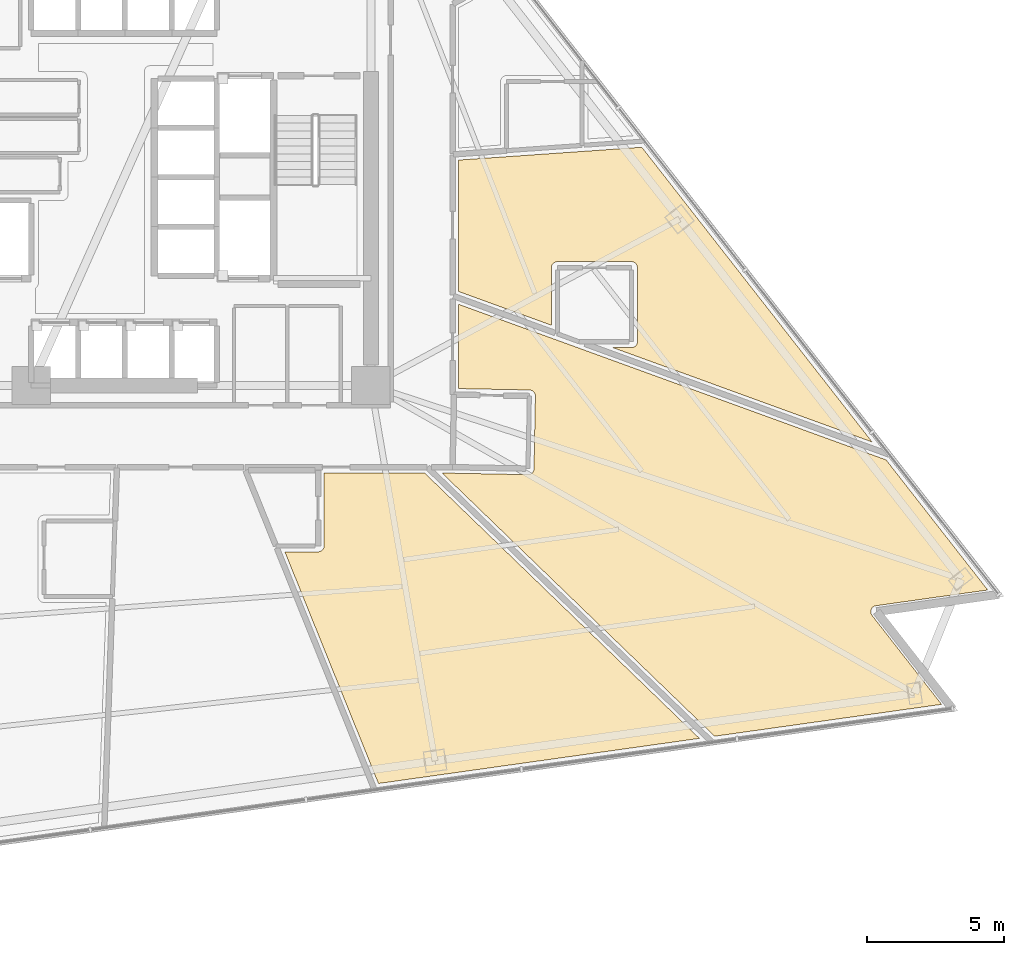
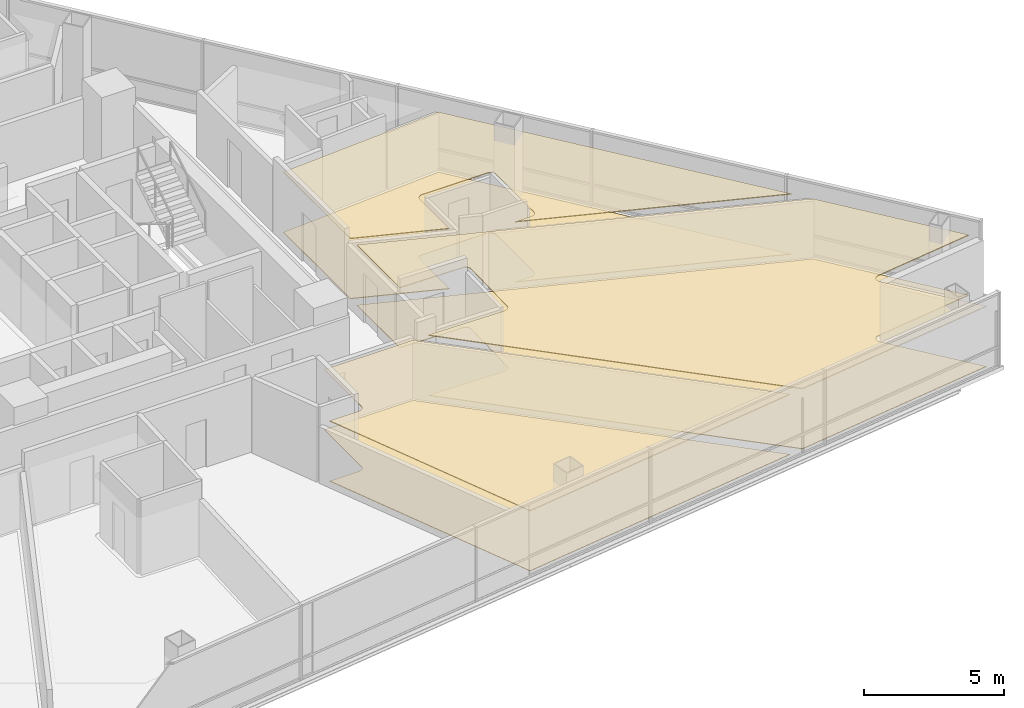
# One storey, part 14 of 16: 6 coverings.
"""IFC4 building model written with IfcOpenShell, lengths in metres."""

from ifc_helpers import new_model, si_unit, direction, frame, origin, place, context, subcontext, project, spatial, polyline, outline, extrude, material, layer, layer_set, type_object, element, save


model = new_model("IFC4")

# Units and contexts
model_context = context("Model", 3, precision=1e-05, world=origin(), true_north=direction((0.0, 1.0)))
body_context = subcontext(model_context, "Body", "Model", "MODEL_VIEW")
ifc_project = project(units=[si_unit("LENGTHUNIT", "METRE"), si_unit("AREAUNIT", "SQUARE_METRE"), si_unit("VOLUMEUNIT", "CUBIC_METRE"), si_unit("PLANEANGLEUNIT", "RADIAN"), si_unit("MASSUNIT", "GRAM", prefix="KILO")], contexts=[model_context])

# Site, building, storey
site_placement = place(None, origin())
site = spatial("IfcSite", under=ifc_project, at=site_placement, CompositionType="ELEMENT")
building_placement = place(site_placement, origin())
building = spatial("IfcBuilding", under=site, at=building_placement, Name="Tharavind Bronze Gate", CompositionType="ELEMENT")
storey_placement = place(building_placement, frame((0.0, 0.0, 70.75)))
storey = spatial("IfcBuildingStorey", under=building, at=storey_placement, Name="L17", CompositionType="ELEMENT", Elevation=70.75)

# Coverings
ifc_material_1 = material(Name="Engineered Oak & Carpet Tile", Category="wood")
ifc_layer_1 = layer(ifc_material_1, 0.02490234375)
ifc_layer_set_1 = layer_set([ifc_layer_1], Name="Engineered Oak & Carpet Tile")
covering_type_1 = type_object("IfcCoveringType", Name="ENGINEERED TIMBER FLOORING", PredefinedType="FLOORING", material=ifc_layer_set_1)
covering_1_placement = place(storey_placement, origin())
element("IfcCovering", 1, at=covering_1_placement, inside=storey, type_object=covering_type_1, Name="L17-RM-12 floor finish", PredefinedType="FLOORING", context=body_context, shape_type="SweptSolid", body=[
    extrude(outline(polyline([(7.193115234375, -13.449951171875), (7.19189453125, -13.4716796875), (7.18896484375, -13.492919921875), (7.18359375, -13.513916015625), (7.17626953125, -13.5341796875), (7.1669921875, -13.5537109375), (7.156005859375, -13.572265625), (7.14306640625, -13.589599609375), (7.128662109375, -13.605712890625), (7.112548828125, -13.6201171875), (7.09521484375, -13.6328125), (7.076904296875, -13.64404296875), (7.057373046875, -13.6533203125), (7.036865234375, -13.660400390625), (7.01611328125, -13.665771484375), (6.99462890625, -13.6689453125), (6.97314453125, -13.669921875), (5.76025390625, -13.669921875), (9.175048828125, -22.12158203125), (20.886474609375, -20.4755859375), (10.866943359375, -10.800048828125), (7.193115234375, -10.800048828125), (7.193115234375, -13.449951171875)])), origin(), (0.0, 0.0, 1.0), 0.02490234375),
])
covering_2_placement = place(storey_placement, origin())
element("IfcCovering", 2, at=covering_2_placement, inside=storey, type_object=covering_type_1, Name="L17-RM-13 floor finish", PredefinedType="FLOORING", context=body_context, shape_type="SweptSolid", body=[
    extrude(outline(polyline([(21.439453125, -20.39794921875), (29.7197265625, -19.234375), (27.184326171875, -15.989013671875), (27.177734375, -15.980224609375), (27.177490234375, -15.979736328125), (27.165771484375, -15.961181640625), (27.156005859375, -15.941650390625), (27.148193359375, -15.921142578125), (27.142333984375, -15.89990234375), (27.138916015625, -15.87841796875), (27.137451171875, -15.8564453125), (27.13818359375, -15.83447265625), (27.14111328125, -15.812744140625), (27.146240234375, -15.79150390625), (27.1533203125, -15.770751953125), (27.16259765625, -15.750732421875), (27.173583984375, -15.73193359375), (27.186767578125, -15.714111328125), (27.201416015625, -15.697998046875), (27.217529296875, -15.68310546875), (27.235107421875, -15.670166015625), (27.254150390625, -15.658935546875), (27.27392578125, -15.649658203125), (27.294677734375, -15.642333984375), (27.31591796875, -15.63720703125), (27.31640625, -15.636962890625), (27.327392578125, -15.63525390625), (31.405517578125, -15.06201171875), (27.69677734375, -10.31494140625), (12.10009765625, -4.63818359375), (12.10009765625, -7.713623046875), (14.684814453125, -7.763671875), (14.706298828125, -7.76513671875), (14.727783203125, -7.768798828125), (14.74853515625, -7.7744140625), (14.768798828125, -7.781982421875), (14.7880859375, -7.79150390625), (14.806396484375, -7.802978515625), (14.823486328125, -7.81640625), (14.839111328125, -7.8310546875), (14.853515625, -7.847412109375), (14.865966796875, -7.864990234375), (14.876708984375, -7.883544921875), (14.885498046875, -7.9033203125), (14.892333984375, -7.923828125), (14.897216796875, -7.94482421875), (14.89990234375, -7.96630859375), (14.900634765625, -7.98779296875), (14.849365234375, -10.63720703125), (14.847900390625, -10.658935546875), (14.844482421875, -10.68017578125), (14.838623046875, -10.700927734375), (14.8310546875, -10.72119140625), (14.8212890625, -10.740478515625), (14.81005859375, -10.7587890625), (14.796875, -10.77587890625), (14.781982421875, -10.79150390625), (14.765625, -10.805908203125), (14.748046875, -10.818359375), (14.7294921875, -10.8291015625), (14.709716796875, -10.837890625), (14.689208984375, -10.8447265625), (14.668212890625, -10.849609375), (14.646728515625, -10.852294921875), (14.625244140625, -10.85302734375), (11.877197265625, -10.800048828125), (11.50048828125, -10.800048828125), (21.439453125, -20.39794921875)])), origin(), (0.0, 0.0, 1.0), 0.02490234375),
])
covering_3_placement = place(storey_placement, origin())
element("IfcCovering", 3, at=covering_3_placement, inside=storey, type_object=covering_type_1, Name="L17-RM-14 floor finish", PredefinedType="FLOORING", context=body_context, shape_type="SweptSolid", body=[
    extrude(outline(polyline([(12.10009765625, -4.169921875), (15.482421875, -5.40087890625), (15.482421875, -3.302001953125), (15.4833984375, -3.280517578125), (15.48681640625, -3.259033203125), (15.491943359375, -3.23828125), (15.499267578125, -3.2177734375), (15.50830078125, -3.1982421875), (15.51953125, -3.1796875), (15.532470703125, -3.16259765625), (15.546875, -3.146484375), (15.56298828125, -3.132080078125), (15.580078125, -3.119140625), (15.598876953125, -3.10791015625), (15.618408203125, -3.098876953125), (15.638671875, -3.091552734375), (15.659423828125, -3.086181640625), (15.680908203125, -3.0830078125), (15.702392578125, -3.08203125), (18.402587890625, -3.08203125), (18.424072265625, -3.0830078125), (18.4453125, -3.086181640625), (18.46630859375, -3.091552734375), (18.48681640625, -3.098876953125), (18.506103515625, -3.10791015625), (18.524658203125, -3.119140625), (18.5419921875, -3.132080078125), (18.55810546875, -3.146484375), (18.572509765625, -3.16259765625), (18.58544921875, -3.1796875), (18.596435546875, -3.1982421875), (18.605712890625, -3.2177734375), (18.613037109375, -3.23828125), (18.6181640625, -3.259033203125), (18.621337890625, -3.280517578125), (18.62255859375, -3.302001953125), (18.62255859375, -6.001953125), (18.621337890625, -6.023681640625), (18.6181640625, -6.044921875), (18.613037109375, -6.06591796875), (18.605712890625, -6.086181640625), (18.596435546875, -6.105712890625), (18.58544921875, -6.124267578125), (18.572509765625, -6.1416015625), (18.55810546875, -6.15771484375), (18.5419921875, -6.172119140625), (18.524658203125, -6.184814453125), (18.506103515625, -6.196044921875), (18.48681640625, -6.205322265625), (18.46630859375, -6.212646484375), (18.4453125, -6.2177734375), (18.424072265625, -6.220947265625), (18.402587890625, -6.221923828125), (17.738037109375, -6.221923828125), (27.185546875, -9.66064453125), (18.783935546875, 1.093017578125), (12.10009765625, 0.62548828125), (12.10009765625, -4.169921875)])), origin(), (0.0, 0.0, 1.0), 0.02490234375),
])
ifc_material_2 = material(Name="Acoustic Gypsum Board", Category="gypsum")
ifc_layer_2 = layer(ifc_material_2, 0.030029296875)
ifc_layer_set_2 = layer_set([ifc_layer_2], Name="Acoustic Gypsum Board")
covering_type_2 = type_object("IfcCoveringType", Name="GYPSUM SUSPENDED CEILING", PredefinedType="CEILING", material=ifc_layer_set_2)
covering_4_placement = place(storey_placement, frame((0.0, 0.0, 2.625)))
element("IfcCovering", 4, at=covering_4_placement, inside=storey, type_object=covering_type_2, Name="L17-RM-12 suspended ceiling", PredefinedType="CEILING", context=body_context, shape_type="SweptSolid", body=[
    extrude(outline(polyline([(7.193115234375, -13.449951171875), (7.19189453125, -13.4716796875), (7.18896484375, -13.492919921875), (7.18359375, -13.513916015625), (7.17626953125, -13.5341796875), (7.1669921875, -13.5537109375), (7.156005859375, -13.572265625), (7.14306640625, -13.589599609375), (7.128662109375, -13.605712890625), (7.112548828125, -13.6201171875), (7.09521484375, -13.6328125), (7.076904296875, -13.64404296875), (7.057373046875, -13.6533203125), (7.036865234375, -13.660400390625), (7.01611328125, -13.665771484375), (6.99462890625, -13.6689453125), (6.97314453125, -13.669921875), (5.76025390625, -13.669921875), (9.175048828125, -22.12158203125), (20.886474609375, -20.4755859375), (10.866943359375, -10.800048828125), (7.193115234375, -10.800048828125), (7.193115234375, -13.449951171875)])), origin(), (0.0, 0.0, 1.0), 0.034912109375),
])
covering_5_placement = place(storey_placement, frame((0.0, 0.0, 2.625)))
element("IfcCovering", 5, at=covering_5_placement, inside=storey, type_object=covering_type_2, Name="L17-RM-13 suspended ceiling", PredefinedType="CEILING", context=body_context, shape_type="SweptSolid", body=[
    extrude(outline(polyline([(21.439453125, -20.39794921875), (29.7197265625, -19.234375), (27.184326171875, -15.989013671875), (27.177734375, -15.980224609375), (27.177490234375, -15.979736328125), (27.165771484375, -15.961181640625), (27.156005859375, -15.941650390625), (27.148193359375, -15.921142578125), (27.142333984375, -15.89990234375), (27.138916015625, -15.87841796875), (27.137451171875, -15.8564453125), (27.13818359375, -15.83447265625), (27.14111328125, -15.812744140625), (27.146240234375, -15.79150390625), (27.1533203125, -15.770751953125), (27.16259765625, -15.750732421875), (27.173583984375, -15.73193359375), (27.186767578125, -15.714111328125), (27.201416015625, -15.697998046875), (27.217529296875, -15.68310546875), (27.235107421875, -15.670166015625), (27.254150390625, -15.658935546875), (27.27392578125, -15.649658203125), (27.294677734375, -15.642333984375), (27.31591796875, -15.63720703125), (27.31640625, -15.636962890625), (27.327392578125, -15.63525390625), (31.405517578125, -15.06201171875), (27.69677734375, -10.31494140625), (12.10009765625, -4.63818359375), (12.10009765625, -7.713623046875), (14.684814453125, -7.763671875), (14.706298828125, -7.76513671875), (14.727783203125, -7.768798828125), (14.74853515625, -7.7744140625), (14.768798828125, -7.781982421875), (14.7880859375, -7.79150390625), (14.806396484375, -7.802978515625), (14.823486328125, -7.81640625), (14.839111328125, -7.8310546875), (14.853515625, -7.847412109375), (14.865966796875, -7.864990234375), (14.876708984375, -7.883544921875), (14.885498046875, -7.9033203125), (14.892333984375, -7.923828125), (14.897216796875, -7.94482421875), (14.89990234375, -7.96630859375), (14.900634765625, -7.98779296875), (14.849365234375, -10.63720703125), (14.847900390625, -10.658935546875), (14.844482421875, -10.68017578125), (14.838623046875, -10.700927734375), (14.8310546875, -10.72119140625), (14.8212890625, -10.740478515625), (14.81005859375, -10.7587890625), (14.796875, -10.77587890625), (14.781982421875, -10.79150390625), (14.765625, -10.805908203125), (14.748046875, -10.818359375), (14.7294921875, -10.8291015625), (14.709716796875, -10.837890625), (14.689208984375, -10.8447265625), (14.668212890625, -10.849609375), (14.646728515625, -10.852294921875), (14.625244140625, -10.85302734375), (11.877197265625, -10.800048828125), (11.50048828125, -10.800048828125), (21.439453125, -20.39794921875)])), origin(), (0.0, 0.0, 1.0), 0.034912109375),
])
covering_6_placement = place(storey_placement, frame((0.0, 0.0, 2.625)))
element("IfcCovering", 6, at=covering_6_placement, inside=storey, type_object=covering_type_2, Name="L17-RM-14 suspended ceiling", PredefinedType="CEILING", context=body_context, shape_type="SweptSolid", body=[
    extrude(outline(polyline([(12.10009765625, -4.169921875), (15.482421875, -5.40087890625), (15.482421875, -3.302001953125), (15.4833984375, -3.280517578125), (15.48681640625, -3.259033203125), (15.491943359375, -3.23828125), (15.499267578125, -3.2177734375), (15.50830078125, -3.1982421875), (15.51953125, -3.1796875), (15.532470703125, -3.16259765625), (15.546875, -3.146484375), (15.56298828125, -3.132080078125), (15.580078125, -3.119140625), (15.598876953125, -3.10791015625), (15.618408203125, -3.098876953125), (15.638671875, -3.091552734375), (15.659423828125, -3.086181640625), (15.680908203125, -3.0830078125), (15.702392578125, -3.08203125), (18.402587890625, -3.08203125), (18.424072265625, -3.0830078125), (18.4453125, -3.086181640625), (18.46630859375, -3.091552734375), (18.48681640625, -3.098876953125), (18.506103515625, -3.10791015625), (18.524658203125, -3.119140625), (18.5419921875, -3.132080078125), (18.55810546875, -3.146484375), (18.572509765625, -3.16259765625), (18.58544921875, -3.1796875), (18.596435546875, -3.1982421875), (18.605712890625, -3.2177734375), (18.613037109375, -3.23828125), (18.6181640625, -3.259033203125), (18.621337890625, -3.280517578125), (18.62255859375, -3.302001953125), (18.62255859375, -6.001953125), (18.621337890625, -6.023681640625), (18.6181640625, -6.044921875), (18.613037109375, -6.06591796875), (18.605712890625, -6.086181640625), (18.596435546875, -6.105712890625), (18.58544921875, -6.124267578125), (18.572509765625, -6.1416015625), (18.55810546875, -6.15771484375), (18.5419921875, -6.172119140625), (18.524658203125, -6.184814453125), (18.506103515625, -6.196044921875), (18.48681640625, -6.205322265625), (18.46630859375, -6.212646484375), (18.4453125, -6.2177734375), (18.424072265625, -6.220947265625), (18.402587890625, -6.221923828125), (17.738037109375, -6.221923828125), (27.185546875, -9.66064453125), (18.783935546875, 1.093017578125), (12.10009765625, 0.62548828125), (12.10009765625, -4.169921875)])), origin(), (0.0, 0.0, 1.0), 0.034912109375),
])

save(model, "model.ifc")
